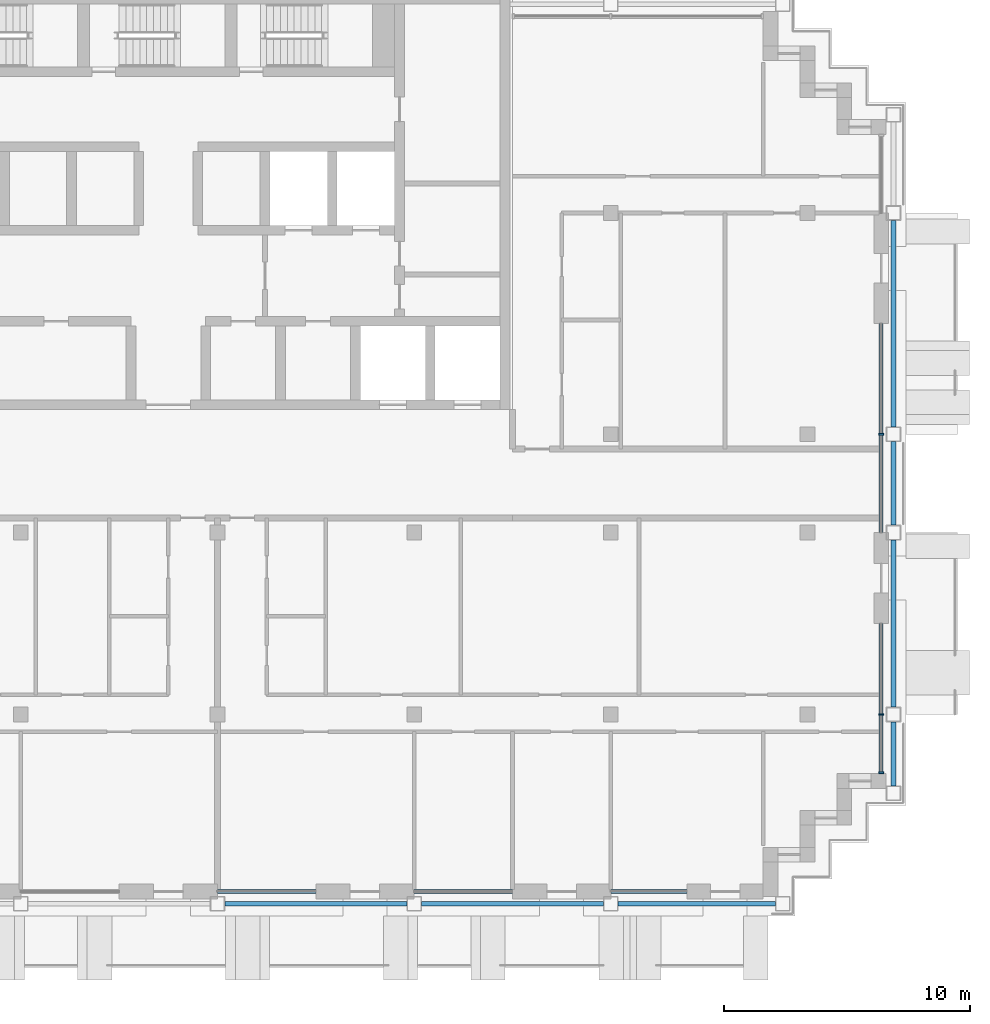
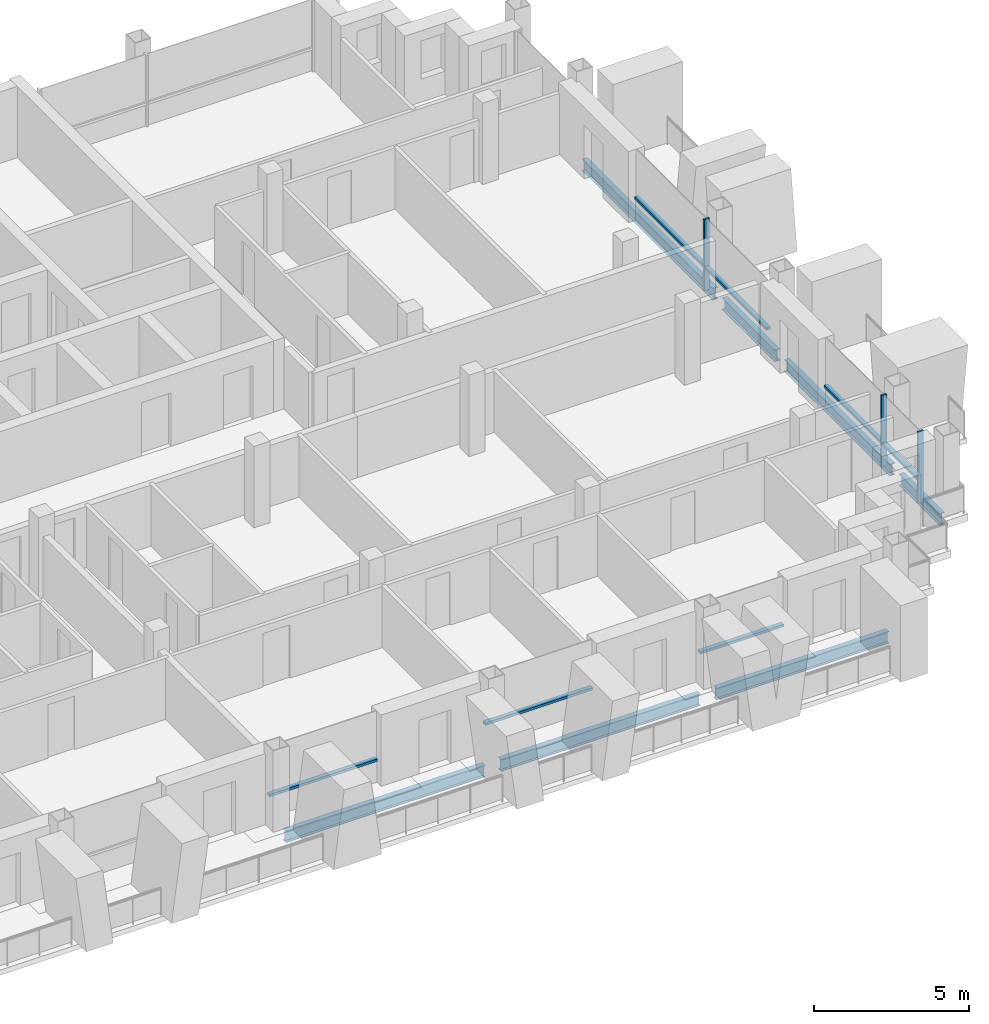
# One storey, part 3 of 15: 10 members, 7 beams, 5 elements without a shape of their own.
"""IFC4 building model written with IfcOpenShell, lengths in metres."""

import ifcopenshell
import ifcopenshell.guid

model = None  # the IFC model being written
_history = None  # IfcOwnerHistory: only IFC2X3 demands one
_inside = {}  # id of a spatial element -> (the spatial element, [elements in it])
_under = {}  # id of a project, library or spatial element -> (it, [spatial elements below it])
_declared = {}  # id of a project -> (the project, [libraries it declares])
_typed = {}  # id of a type object -> (the type object, [elements of that type])
_made_of = {}  # id of a material, layer set ... -> (it, [elements and type objects made of it])


def new_model(schema):
    """Start an empty IFC model of exactly this schema.

    Asked for "IFC4X3", IfcOpenShell would pick the latest addendum, in which some entities
    have other attributes; the version numbers below select the first issue.
    IFC2X3 requires an IfcOwnerHistory on every rooted entity: one is made here for all.
    """
    global model, _history
    if schema == "IFC4X3":
        model = ifcopenshell.file(schema_version=(4, 3, 0, 0))
    else:
        model = ifcopenshell.file(schema=schema)
    _inside.clear()
    _under.clear()
    _declared.clear()
    _typed.clear()
    _made_of.clear()
    _history = None
    if model.schema == "IFC2X3":
        org = make("IfcOrganization", Name="unknown")
        user = make(
            "IfcPersonAndOrganization",
            ThePerson=make("IfcPerson", FamilyName="unknown"),
            TheOrganization=org,
        )
        app = make(
            "IfcApplication",
            ApplicationDeveloper=org,
            Version="unknown",
            ApplicationFullName="unknown",
            ApplicationIdentifier="unknown",
        )
        _history = make(
            "IfcOwnerHistory",
            OwningUser=user,
            OwningApplication=app,
            ChangeAction="ADDED",
            CreationDate=0,
        )
    return model


def make(cls, **values):
    """One entity of the class cls with the attributes given. An attribute that is None is left unset."""
    return model.create_entity(
        cls, **{name: value for name, value in values.items() if value is not None}
    )


def rooted(cls, **values):
    """An entity with a GlobalId (a new one), such as an element, a storey or a relation."""
    return make(cls, GlobalId=ifcopenshell.guid.new(), OwnerHistory=_history, **values)


def si_unit(unit_type, name, prefix=None):
    """IfcSIUnit, for example si_unit("LENGTHUNIT", "METRE", prefix="MILLI")."""
    return make("IfcSIUnit", UnitType=unit_type, Prefix=prefix, Name=name)


def assignment(units):
    """IfcUnitAssignment: the units of a project."""
    return None if units is None else make("IfcUnitAssignment", Units=units)


def point(xyz):
    """IfcCartesianPoint."""
    return None if xyz is None else make("IfcCartesianPoint", Coordinates=xyz)


def direction(xyz):
    """IfcDirection."""
    return None if xyz is None else make("IfcDirection", DirectionRatios=xyz)


def frame(location, z_axis=None, x_axis=None):
    """IfcAxis2Placement3D, a coordinate frame: its origin and axes. An axis left out is left unset."""
    return make(
        "IfcAxis2Placement3D",
        Location=point(location),
        Axis=direction(z_axis),
        RefDirection=direction(x_axis),
    )


def frame_2d(location, x_axis=None):
    """IfcAxis2Placement2D, a coordinate frame in the plane: its origin and x axis."""
    return make(
        "IfcAxis2Placement2D", Location=point(location), RefDirection=direction(x_axis)
    )


def origin():
    """The frame at (0, 0, 0) with its axes left unset."""
    return frame((0.0, 0.0, 0.0))


def origin_2d():
    """The frame at (0, 0) in the plane with its x axis left unset."""
    return frame_2d((0.0, 0.0))


def place(relative_to, where):
    """IfcLocalPlacement: puts the frame where relative to a parent placement (None: the world)."""
    return make(
        "IfcLocalPlacement", PlacementRelTo=relative_to, RelativePlacement=where
    )


def context(
    kind, dimensions, precision=None, world=None, true_north=None, identifier=None
):
    """IfcGeometricRepresentationContext, for example the 3D "Model" context."""
    return make(
        "IfcGeometricRepresentationContext",
        ContextIdentifier=identifier,
        ContextType=kind,
        CoordinateSpaceDimension=dimensions,
        Precision=precision,
        WorldCoordinateSystem=world,
        TrueNorth=true_north,
    )


def subcontext(parent, identifier, kind, view, scale=None):
    """IfcGeometricRepresentationSubContext, for example "Body" below "Model"."""
    return make(
        "IfcGeometricRepresentationSubContext",
        ContextIdentifier=identifier,
        ContextType=kind,
        ParentContext=parent,
        TargetScale=scale,
        TargetView=view,
    )


def project(units=None, contexts=None):
    """IfcProject with its units and contexts."""
    return rooted(
        "IfcProject",
        Name="project",
        RepresentationContexts=contexts,
        UnitsInContext=assignment(units),
    )


def spatial(cls, under=None, at=None, **own):
    """A site, building, storey or space (cls), placed at a placement, below another one or the project."""
    s = rooted(cls, ObjectPlacement=at, **own)
    if under is not None:
        _under.setdefault(under.id(), (under, []))[1].append(s)
    return s


def profile(cls, at=None, kind="AREA", **sizes):
    """A parametric profile (cls). Its sizes go by their IFC names, for example OverallWidth=200.0."""
    return make(cls, ProfileType=kind, Position=at, **sizes)


def rectangle(**sizes):
    """IfcRectangleProfileDef."""
    return profile("IfcRectangleProfileDef", **sizes)


def i_section(**sizes):
    """IfcIShapeProfileDef."""
    return profile("IfcIShapeProfileDef", **sizes)


def extrude(swept, where, along, depth):
    """IfcExtrudedAreaSolid: the profile swept, set in the frame where, extruded along a direction by depth."""
    return make(
        "IfcExtrudedAreaSolid",
        SweptArea=swept,
        Position=where,
        ExtrudedDirection=direction(along),
        Depth=depth,
    )


def shape(context_of_items, identifier, shape_type, items):
    """IfcShapeRepresentation: the items that make up one representation, for example the "Body"."""
    return make(
        "IfcShapeRepresentation",
        ContextOfItems=context_of_items,
        RepresentationIdentifier=identifier,
        RepresentationType=shape_type,
        Items=items,
    )


def material(Name=None, Category=None):
    """IfcMaterial."""
    return make("IfcMaterial", Name=Name, Category=Category)


def material_profile(
    of_material, cross_section, Name=None, Category=None, Priority=None
):
    """IfcMaterialProfile: a cross section and its material."""
    return make(
        "IfcMaterialProfile",
        Name=Name,
        Material=of_material,
        Profile=cross_section,
        Priority=Priority,
        Category=Category,
    )


def profile_set(profiles, Name=None, composite=None):
    """IfcMaterialProfileSet."""
    return make(
        "IfcMaterialProfileSet",
        Name=Name,
        MaterialProfiles=profiles,
        CompositeProfile=composite,
    )


def made_of(thing, what):
    """Note that an element or type object is made of a material, layer set ...; save() writes the relation."""
    if what is not None:
        _made_of.setdefault(what.id(), (what, []))[1].append(thing)
    return thing


def type_object(cls, material=None, **own):
    """A type object (cls), such as IfcWallType, which elements share."""
    return made_of(rooted(cls, **own), material)


def element(
    cls,
    number,
    at=None,
    inside=None,
    cuts=None,
    type_object=None,
    material=None,
    context=None,
    identifier="Body",
    shape_type=None,
    held_by="IfcProductDefinitionShape",
    body=None,
    shapes=None,
    **own,
):
    """One element of the class cls, such as IfcWall. Its Tag is "e" and its number.

    at: its placement. inside: the storey or other place that contains it. cuts: it is an
    opening in that element (IfcRelVoidsElement). A single representation is given by context,
    identifier, shape_type and body (its items); several are given by shapes. held_by: the class
    of the entity that holds the representations. save() writes the other relations.
    """
    e = rooted(cls, Tag="e%d" % number, ObjectPlacement=at, **own)
    if body is not None:
        shapes = [shape(context, identifier, shape_type, body)]
    if shapes is not None:
        e.Representation = make(held_by, Representations=shapes)
    if inside is not None:
        _inside.setdefault(inside.id(), (inside, []))[1].append(e)
    if cuts is not None:
        rooted(
            "IfcRelVoidsElement", RelatingBuildingElement=cuts, RelatedOpeningElement=e
        )
    if type_object is not None:
        _typed.setdefault(type_object.id(), (type_object, []))[1].append(e)
    return made_of(e, material)


def aggregate(whole, parts):
    """IfcRelAggregates: a whole, such as a stair, and the parts it consists of."""
    return rooted("IfcRelAggregates", RelatingObject=whole, RelatedObjects=parts)


def save(model, path):
    """Write the relations noted so far, then the file.

    IfcRelAggregates (storeys below a building ...), IfcRelContainedInSpatialStructure (elements
    in a storey), IfcRelDefinesByType, IfcRelAssociatesMaterial and IfcRelDeclares: one each for
    every whole, place, type object, material and project.
    """
    for whole, parts in _under.values():
        aggregate(whole, parts)
    for where, things in _inside.values():
        rooted(
            "IfcRelContainedInSpatialStructure",
            RelatedElements=things,
            RelatingStructure=where,
        )
    for kind, things in _typed.values():
        rooted("IfcRelDefinesByType", RelatedObjects=things, RelatingType=kind)
    for what, things in _made_of.values():
        rooted("IfcRelAssociatesMaterial", RelatedObjects=things, RelatingMaterial=what)
    for by, libraries in _declared.values():
        rooted("IfcRelDeclares", RelatingContext=by, RelatedDefinitions=libraries)
    model.write(path)


model = new_model("IFC4")

# Units and contexts
model_context = context("Model", 3, precision=1e-05, world=origin(), true_north=direction((0.0, 1.0)))
body_context = subcontext(model_context, "Body", "Model", "MODEL_VIEW")
ifc_project = project(units=[si_unit("LENGTHUNIT", "METRE"), si_unit("AREAUNIT", "SQUARE_METRE"), si_unit("VOLUMEUNIT", "CUBIC_METRE"), si_unit("PLANEANGLEUNIT", "RADIAN"), si_unit("MASSUNIT", "GRAM", prefix="KILO")], contexts=[model_context])

# Site, building, storey
site_placement = place(None, origin())
site = spatial("IfcSite", under=ifc_project, at=site_placement, CompositionType="ELEMENT")
building_placement = place(site_placement, origin())
building = spatial("IfcBuilding", under=site, at=building_placement, Name="Vidyagriha Tower", CompositionType="ELEMENT")
storey_placement = place(building_placement, frame((0.0, 0.0, 236.39990234375)))
storey = spatial("IfcBuildingStorey", under=building, at=storey_placement, Name="L62", CompositionType="ELEMENT", Elevation=236.39990234375)

# Beams
ifc_material_1 = material(Name="Steel ASTM A992 Grade 50", Category="steel")
ifc_material_profile_1 = material_profile(ifc_material_1, i_section(OverallWidth=0.19189453125, OverallDepth=0.46240234375, WebThickness=0.010498046875, FlangeThickness=0.017578125, at=origin_2d()), Name="W18X60")
ifc_profile_set_1 = profile_set([ifc_material_profile_1], Name="Steel ASTM A992 Grade 50")
beam_type = type_object("IfcBeamType", Name="Edge beam W18X60", PredefinedType="SPANDREL", material=ifc_profile_set_1)
for number, where, z_axis, x_axis, name in (
    (1, (2.300048828125, -17.10009765625, -0.510986328125), (1.0, 0.0, 0.0), (0.0, 1.0, 0.0), "st-beam-L62-S05"),
    (2, (10.300048828125, -17.10009765625, -0.510986328125), (1.0, 0.0, 0.0), (0.0, 1.0, 0.0), "st-beam-L62-S06"),
):
    element("IfcBeam", number, at=place(storey_placement, frame(where, z_axis=z_axis, x_axis=x_axis)), inside=storey, type_object=beam_type, Name=name, PredefinedType="SPANDREL", context=body_context, shape_type="SweptSolid", body=[
        extrude(i_section(OverallWidth=0.19189453125, OverallDepth=0.46240234375, WebThickness=0.010498046875, FlangeThickness=0.017578125, at=origin_2d()), origin(), (0.0, 0.0, 1.0), 7.39990234375),
    ])
beam_1_placement = place(storey_placement, frame((18.300048828125, -17.10009765625, -0.510986328125), z_axis=(1.0, 0.0, 0.0), x_axis=(0.0, 1.0, 0.0)))
element("IfcBeam", 3, at=beam_1_placement, inside=storey, type_object=beam_type, Name="st-beam-L62-S07", PredefinedType="SPANDREL", context=body_context, shape_type="SweptSolid", body=[
    extrude(i_section(OverallWidth=0.19189453125, OverallDepth=0.46240234375, WebThickness=0.010498046875, FlangeThickness=0.017578125, at=origin_2d()), origin(), (0.0, 0.0, 1.0), 6.39990234375),
])
beam_2_placement = place(storey_placement, frame((29.5, -12.300048828125, -0.510986328125), z_axis=(0.0, 1.0, 0.0), x_axis=(-1.0, 0.0, 0.0)))
element("IfcBeam", 4, at=beam_2_placement, inside=storey, type_object=beam_type, Name="st-beam-L62-E13", PredefinedType="SPANDREL", context=body_context, shape_type="SweptSolid", body=[
    extrude(i_section(OverallWidth=0.19189453125, OverallDepth=0.46240234375, WebThickness=0.010498046875, FlangeThickness=0.017578125, at=origin_2d()), origin(), (0.0, 0.0, 1.0), 2.60009765625),
])
beam_3_placement = place(storey_placement, frame((29.5, -9.10009765625, -0.510986328125), z_axis=(0.0, 1.0, 0.0), x_axis=(-1.0, 0.0, 0.0)))
element("IfcBeam", 5, at=beam_3_placement, inside=storey, type_object=beam_type, Name="st-beam-L62-E14", PredefinedType="SPANDREL", context=body_context, shape_type="SweptSolid", body=[
    extrude(i_section(OverallWidth=0.19189453125, OverallDepth=0.46240234375, WebThickness=0.010498046875, FlangeThickness=0.017578125, at=origin_2d()), origin(), (0.0, 0.0, 1.0), 6.800048828125),
])
beam_4_placement = place(storey_placement, frame((29.5, -1.699951171875, -0.510986328125), z_axis=(0.0, 1.0, 0.0), x_axis=(-1.0, 0.0, 0.0)))
element("IfcBeam", 6, at=beam_4_placement, inside=storey, type_object=beam_type, Name="st-beam-L62-E15", PredefinedType="SPANDREL", context=body_context, shape_type="SweptSolid", body=[
    extrude(i_section(OverallWidth=0.19189453125, OverallDepth=0.46240234375, WebThickness=0.010498046875, FlangeThickness=0.017578125, at=origin_2d()), origin(), (0.0, 0.0, 1.0), 3.39990234375),
])
beam_5_placement = place(storey_placement, frame((29.5, 2.300048828125, -0.510986328125), z_axis=(0.0, 1.0, 0.0), x_axis=(-1.0, 0.0, 0.0)))
element("IfcBeam", 7, at=beam_5_placement, inside=storey, type_object=beam_type, Name="st-beam-L62-E16", PredefinedType="SPANDREL", context=body_context, shape_type="SweptSolid", body=[
    extrude(i_section(OverallWidth=0.19189453125, OverallDepth=0.46240234375, WebThickness=0.010498046875, FlangeThickness=0.017578125, at=origin_2d()), origin(), (0.0, 0.0, 1.0), 8.39990234375),
])

# Curtain wall, members
ifc_material_2 = material(Name="Aluminium and glass curtain wall", Category="aluminium")
curtain_wall_type = type_object("IfcCurtainWallType", Name="Dwelling skin unitised curtain wall", PredefinedType="USERDEFINED", material=ifc_material_2)
curtain_wall_1_placement = place(storey_placement, origin())
curtain_wall_1 = element("IfcCurtainWall", 8, at=curtain_wall_1_placement, inside=storey, type_object=curtain_wall_type, Name="CW1 dwelling skin", ObjectType="UNITISED", PredefinedType="USERDEFINED")
ifc_material_3 = material(Name="Aluminium black anodised", Category="aluminium")
ifc_material_profile_2 = material_profile(ifc_material_3, rectangle(XDim=0.199951171875, YDim=0.070068359375, at=origin_2d()), Name="Mullion 70x200 black aluminium")
ifc_profile_set_2 = profile_set([ifc_material_profile_2], Name="Aluminium black anodised")
member_type_1 = type_object("IfcMemberType", Name="Mullion 70x200 black aluminium", PredefinedType="MULLION", material=ifc_profile_set_2)
member_1_placement = place(storey_placement, frame((29.0, -11.764892578125, 0.0), z_axis=(0.0, 0.0, 1.0), x_axis=(-1.0, 0.0, 0.0)))
member_1 = element("IfcMember", 9, at=member_1_placement, type_object=member_type_1, Name="CW1 mullion 1", PredefinedType="MULLION", context=body_context, shape_type="SweptSolid", body=[
    extrude(rectangle(XDim=0.199951171875, YDim=0.070068359375, at=origin_2d()), origin(), (0.0, 0.0, 1.0), 2.800048828125),
])
member_2_placement = place(storey_placement, frame((29.0, -9.39990234375, 0.0), z_axis=(0.0, 0.0, 1.0), x_axis=(-1.0, 0.0, 0.0)))
member_2 = element("IfcMember", 10, at=member_2_placement, type_object=member_type_1, Name="CW1 mullion 2", PredefinedType="MULLION", context=body_context, shape_type="SweptSolid", body=[
    extrude(rectangle(XDim=0.199951171875, YDim=0.070068359375, at=origin_2d()), origin(), (0.0, 0.0, 1.0), 2.800048828125),
])

# Curtain wall, member
curtain_wall_2_placement = place(storey_placement, origin())
curtain_wall_2 = element("IfcCurtainWall", 11, at=curtain_wall_2_placement, inside=storey, type_object=curtain_wall_type, Name="CW1 dwelling skin", ObjectType="UNITISED", PredefinedType="USERDEFINED")
member_3_placement = place(storey_placement, frame((29.0, 2.0, 0.0), z_axis=(0.0, 0.0, 1.0), x_axis=(-1.0, 0.0, 0.0)))
member_3 = element("IfcMember", 12, at=member_3_placement, type_object=member_type_1, Name="CW1 mullion 2", PredefinedType="MULLION", context=body_context, shape_type="SweptSolid", body=[
    extrude(rectangle(XDim=0.199951171875, YDim=0.070068359375, at=origin_2d()), origin(), (0.0, 0.0, 1.0), 2.800048828125),
])

curtain_wall_3_placement = place(storey_placement, origin())
curtain_wall_3 = element("IfcCurtainWall", 13, at=curtain_wall_3_placement, inside=storey, type_object=curtain_wall_type, Name="CW1 dwelling skin", ObjectType="UNITISED", PredefinedType="USERDEFINED")
ifc_material_4 = material(Name="Aluminium black anodised", Category="aluminium")
ifc_material_profile_3 = material_profile(ifc_material_4, rectangle(XDim=0.159912109375, YDim=0.10009765625, at=origin_2d()), Name="Transom 100x160 black aluminium")
ifc_profile_set_3 = profile_set([ifc_material_profile_3], Name="Aluminium black anodised")
member_type_2 = type_object("IfcMemberType", Name="Transom 100x160 black aluminium", PredefinedType="USERDEFINED", material=ifc_profile_set_3)
member_4_placement = place(storey_placement, frame((2.0, -16.60009765625, 0.900146484375), z_axis=(1.0, 0.0, 0.0), x_axis=(0.0, 1.0, 0.0)))
member_4 = element("IfcMember", 14, at=member_4_placement, type_object=member_type_2, Name="CW1 transom 1.1", ObjectType="TRANSOM", PredefinedType="USERDEFINED", context=body_context, shape_type="SweptSolid", body=[
    extrude(rectangle(XDim=0.159912109375, YDim=0.10009765625, at=origin_2d()), origin(), (0.0, 0.0, 1.0), 4.0),
])
aggregate(curtain_wall_3, [member_4])

curtain_wall_4_placement = place(storey_placement, origin())
curtain_wall_4 = element("IfcCurtainWall", 15, at=curtain_wall_4_placement, inside=storey, type_object=curtain_wall_type, Name="CW1 dwelling skin", ObjectType="UNITISED", PredefinedType="USERDEFINED")
member_5_placement = place(storey_placement, frame((10.0, -16.60009765625, 0.900146484375), z_axis=(1.0, 0.0, 0.0), x_axis=(0.0, 1.0, 0.0)))
member_5 = element("IfcMember", 16, at=member_5_placement, type_object=member_type_2, Name="CW1 transom 1.1", ObjectType="TRANSOM", PredefinedType="USERDEFINED", context=body_context, shape_type="SweptSolid", body=[
    extrude(rectangle(XDim=0.159912109375, YDim=0.10009765625, at=origin_2d()), origin(), (0.0, 0.0, 1.0), 4.0),
])
aggregate(curtain_wall_4, [member_5])

curtain_wall_5_placement = place(storey_placement, origin())
curtain_wall_5 = element("IfcCurtainWall", 17, at=curtain_wall_5_placement, inside=storey, type_object=curtain_wall_type, Name="CW1 dwelling skin", ObjectType="UNITISED", PredefinedType="USERDEFINED")
member_6_placement = place(storey_placement, frame((18.0, -16.60009765625, 0.900146484375), z_axis=(1.0, 0.0, 0.0), x_axis=(0.0, 1.0, 0.0)))
member_6 = element("IfcMember", 18, at=member_6_placement, type_object=member_type_2, Name="CW1 transom 1.1", ObjectType="TRANSOM", PredefinedType="USERDEFINED", context=body_context, shape_type="SweptSolid", body=[
    extrude(rectangle(XDim=0.159912109375, YDim=0.10009765625, at=origin_2d()), origin(), (0.0, 0.0, 1.0), 3.10009765625),
])
aggregate(curtain_wall_5, [member_6])

# Member
member_7_placement = place(storey_placement, frame((29.0, -11.72998046875, 0.900146484375), z_axis=(0.0, 1.0, 0.0), x_axis=(-1.0, 0.0, 0.0)))
member_7 = element("IfcMember", 19, at=member_7_placement, type_object=member_type_2, Name="CW1 transom 1.1", ObjectType="TRANSOM", PredefinedType="USERDEFINED", context=body_context, shape_type="SweptSolid", body=[
    extrude(rectangle(XDim=0.159912109375, YDim=0.10009765625, at=origin_2d()), origin(), (0.0, 0.0, 1.0), 2.294921875),
])

member_8_placement = place(storey_placement, frame((29.0, -9.364990234375, 0.900146484375), z_axis=(0.0, 1.0, 0.0), x_axis=(-1.0, 0.0, 0.0)))
member_8 = element("IfcMember", 20, at=member_8_placement, type_object=member_type_2, Name="CW1 transom 2.1", ObjectType="TRANSOM", PredefinedType="USERDEFINED", context=body_context, shape_type="SweptSolid", body=[
    extrude(rectangle(XDim=0.159912109375, YDim=0.10009765625, at=origin_2d()), origin(), (0.0, 0.0, 1.0), 3.6650390625),
])

aggregate(curtain_wall_1, [member_1, member_2, member_7, member_8])

member_9_placement = place(storey_placement, frame((29.0, -2.0, 0.900146484375), z_axis=(0.0, 1.0, 0.0), x_axis=(-1.0, 0.0, 0.0)))
member_9 = element("IfcMember", 21, at=member_9_placement, type_object=member_type_2, Name="CW1 transom 1.1", ObjectType="TRANSOM", PredefinedType="USERDEFINED", context=body_context, shape_type="SweptSolid", body=[
    extrude(rectangle(XDim=0.159912109375, YDim=0.10009765625, at=origin_2d()), origin(), (0.0, 0.0, 1.0), 3.965087890625),
])

member_10_placement = place(storey_placement, frame((29.0, 2.034912109375, 0.900146484375), z_axis=(0.0, 1.0, 0.0), x_axis=(-1.0, 0.0, 0.0)))
member_10 = element("IfcMember", 22, at=member_10_placement, type_object=member_type_2, Name="CW1 transom 2.1", ObjectType="TRANSOM", PredefinedType="USERDEFINED", context=body_context, shape_type="SweptSolid", body=[
    extrude(rectangle(XDim=0.159912109375, YDim=0.10009765625, at=origin_2d()), origin(), (0.0, 0.0, 1.0), 4.465087890625),
])

aggregate(curtain_wall_2, [member_3, member_9, member_10])

save(model, "model.ifc")
